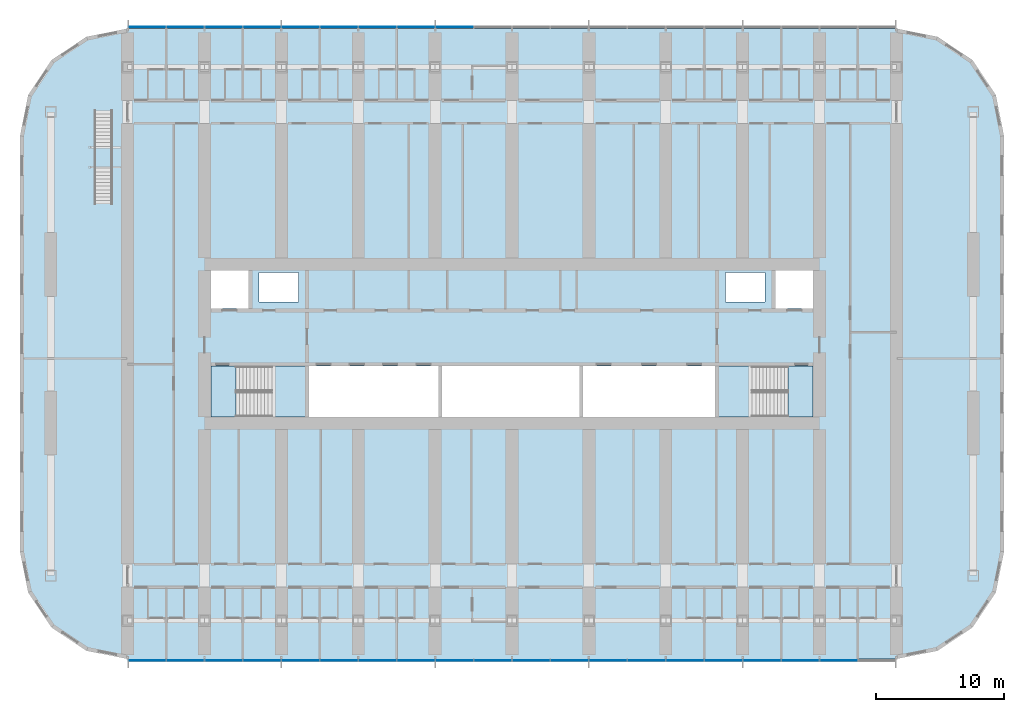
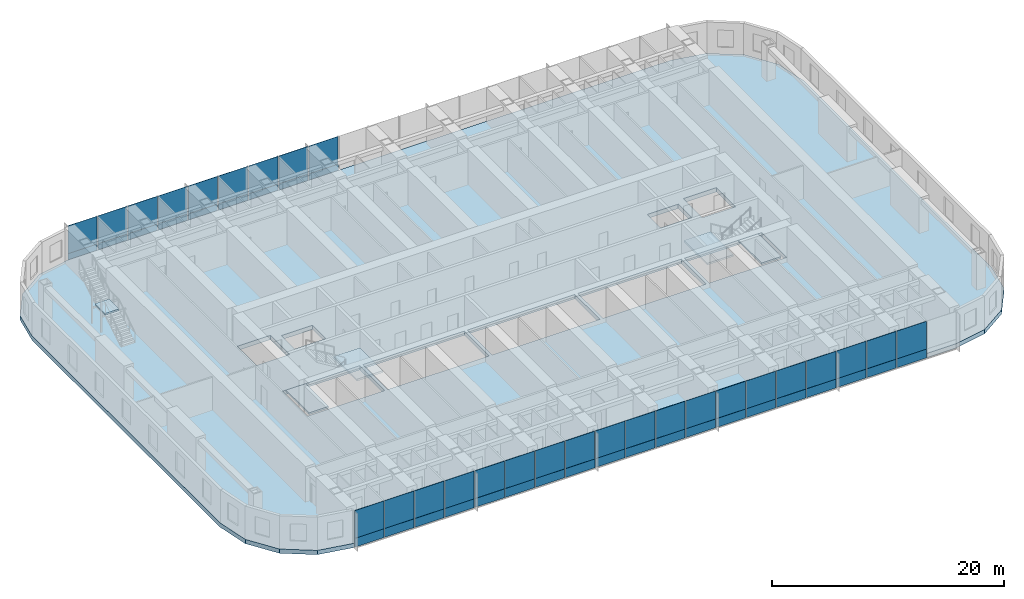
# One storey, part 10 of 28: 56 plates, 6 slabs, 5 elements without a shape of their own.
"""IFC4 building model written with IfcOpenShell, lengths in metres."""

from ifc_helpers import new_model, si_unit, direction, frame, origin, origin_2d, place, context, subcontext, project, spatial, polyline, rectangle, outline, extrude, material, layer, layer_set, type_object, element, aggregate, save


model = new_model("IFC4")

# Units and contexts
model_context = context("Model", 3, precision=1e-05, world=origin(), true_north=direction((0.0, 1.0)))
body_context = subcontext(model_context, "Body", "Model", "MODEL_VIEW")
ifc_project = project(units=[si_unit("LENGTHUNIT", "METRE"), si_unit("AREAUNIT", "SQUARE_METRE"), si_unit("VOLUMEUNIT", "CUBIC_METRE"), si_unit("PLANEANGLEUNIT", "RADIAN"), si_unit("MASSUNIT", "GRAM", prefix="KILO")], contexts=[model_context])

# Site, building, storey
site_placement = place(None, origin())
site = spatial("IfcSite", under=ifc_project, at=site_placement, CompositionType="ELEMENT")
building_placement = place(site_placement, origin())
building = spatial("IfcBuilding", under=site, at=building_placement, Name="Orbita Commons", CompositionType="ELEMENT")
storey_placement = place(building_placement, frame((0.0, 0.0, 38.949951171875)))
storey = spatial("IfcBuildingStorey", under=building, at=storey_placement, Name="L09", CompositionType="ELEMENT", Elevation=38.949951171875)

# Stair, slab
ifc_material_1 = material(Name="Steel ASTM A992 stringers, precast concrete C40/50 terrazzo treads", Category="concrete")
stair_type_1 = type_object("IfcStairType", Name="Feature stair 22 risers 170 x 280 x 1400", PredefinedType="STRAIGHT_RUN_STAIR", material=ifc_material_1)
stair_1_placement = place(storey_placement, origin())
stair_1 = element("IfcStair", 1, at=stair_1_placement, inside=storey, type_object=stair_type_1, Name="Neighbourhood stair L09 to L10", PredefinedType="STRAIGHT_RUN_STAIR")
ifc_material_2 = material(Name="Concrete C40/50", Category="concrete")
ifc_layer_1 = layer(ifc_material_2, 0.199951171875)
ifc_layer_set_1 = layer_set([ifc_layer_1], Name="Concrete C40/50")
slab_type_1 = type_object("IfcSlabType", Name="Feature stair landing 200", PredefinedType="LANDING", material=ifc_layer_set_1)
slab_1_placement = place(storey_placement, frame((0.0, 0.0, 1.675048828125)))
slab_1 = element("IfcSlab", 2, at=slab_1_placement, type_object=slab_type_1, Name="FS landing 1", PredefinedType="LANDING", context=body_context, shape_type="SweptSolid", body=[
    extrude(outline(polyline([(9.39990234375, 45.699951171875), (10.800048828125, 45.699951171875), (10.800048828125, 47.409912109375), (9.39990234375, 47.409912109375), (9.39990234375, 45.699951171875)])), origin(), (0.0, 0.0, 1.0), 0.199951171875),
])
aggregate(stair_1, [slab_1])

# Slab
ifc_material_3 = material(Name="Concrete C40/50", Category="concrete")
ifc_layer_2 = layer(ifc_material_3, 0.449951171875)
ifc_layer_set_2 = layer_set([ifc_layer_2], Name="Concrete C40/50")
slab_type_2 = type_object("IfcSlabType", Name="Floor slab 450", PredefinedType="FLOOR", material=ifc_layer_set_2)
slab_2_placement = place(storey_placement, frame((0.0, 0.0, -0.449951171875)))
element("IfcSlab", 3, at=slab_2_placement, inside=storey, type_object=slab_type_2, Name="Floor slab L09", PredefinedType="FLOOR", context=body_context, shape_type="SweptSolid", body=[
    extrude(outline(polyline([(72.0, 7.39990234375), (75.214599609375, 8.039306640625), (77.939697265625, 9.8603515625), (79.760498046875, 12.58544921875), (80.39990234375, 15.800048828125), (80.39990234375, 48.199951171875), (79.760498046875, 51.41455078125), (77.939697265625, 54.1396484375), (75.214599609375, 55.960693359375), (72.0, 56.60009765625), (12.0, 56.60009765625), (8.785400390625, 55.960693359375), (6.060302734375, 54.1396484375), (4.239501953125, 51.41455078125), (3.60009765625, 48.199951171875), (3.60009765625, 15.800048828125), (4.239501953125, 12.58544921875), (6.060302734375, 9.8603515625), (8.785400390625, 8.039306640625), (12.0, 7.39990234375), (72.0, 7.39990234375)]), holes=[polyline([(18.14990234375, 25.949951171875), (25.85009765625, 25.949951171875), (25.85009765625, 30.25), (18.14990234375, 30.25), (18.14990234375, 25.949951171875)]), polyline([(58.14990234375, 25.949951171875), (65.85009765625, 25.949951171875), (65.85009765625, 30.25), (58.14990234375, 30.25), (58.14990234375, 25.949951171875)]), polyline([(18.14990234375, 34.75), (21.449951171875, 34.75), (21.449951171875, 38.050048828125), (18.14990234375, 38.050048828125), (18.14990234375, 34.75)]), polyline([(62.550048828125, 34.75), (65.85009765625, 34.75), (65.85009765625, 38.050048828125), (62.550048828125, 38.050048828125), (62.550048828125, 34.75)]), polyline([(22.25, 35.25), (25.35009765625, 35.25), (25.35009765625, 37.550048828125), (22.25, 37.550048828125), (22.25, 35.25)]), polyline([(58.64990234375, 35.25), (61.75, 35.25), (61.75, 37.550048828125), (58.64990234375, 37.550048828125), (58.64990234375, 35.25)]), polyline([(26.14990234375, 25.949951171875), (36.25, 25.949951171875), (36.25, 30.25), (26.14990234375, 30.25), (26.14990234375, 25.949951171875)]), polyline([(36.550048828125, 25.949951171875), (47.25, 25.949951171875), (47.25, 30.25), (36.550048828125, 30.25), (36.550048828125, 25.949951171875)]), polyline([(47.550048828125, 25.949951171875), (57.85009765625, 25.949951171875), (57.85009765625, 30.25), (47.550048828125, 30.25), (47.550048828125, 25.949951171875)])]), origin(), (0.0, 0.0, 1.0), 0.449951171875),
])

# Curtain wall, plates
ifc_material_4 = material(Name="Anodised aluminium frame, pale silver", Category="aluminium")
curtain_wall_type = type_object("IfcCurtainWallType", Name="Unitised curtain wall CW-T, vision and spandrel", PredefinedType="NOTDEFINED", material=ifc_material_4)
curtain_wall_1_placement = place(storey_placement, origin())
curtain_wall_1 = element("IfcCurtainWall", 4, at=curtain_wall_1_placement, inside=storey, type_object=curtain_wall_type, Name="Curtain wall south L09", PredefinedType="NOTDEFINED")
ifc_material_5 = material(Name="Anodised aluminium sheet on mineral wool", Category="aluminium")
ifc_layer_3 = layer(ifc_material_5, 0.050048828125)
ifc_layer_set_3 = layer_set([ifc_layer_3], Name="Anodised aluminium sheet on mineral wool")
plate_type_1 = type_object("IfcPlateType", Name="Spandrel panel, pale aluminium over insulation 50", PredefinedType="CURTAIN_PANEL", material=ifc_layer_set_3)
plate_1_placement = place(storey_placement, frame((13.52001953125, 7.2900390625, -0.35009765625), z_axis=(0.0, 0.0, 1.0), x_axis=(1.0, 0.0, 0.0)))
plate_1 = element("IfcPlate", 5, at=plate_1_placement, type_object=plate_type_1, Name="Panel 1.1 CW-L09-S", PredefinedType="CURTAIN_PANEL", context=body_context, shape_type="SweptSolid", body=[
    extrude(rectangle(XDim=2.8798828125, YDim=0.050048828125, at=origin_2d()), origin(), (0.0, 0.0, 1.0), 0.927001953125),
])
plate_2_placement = place(storey_placement, frame((16.5, 7.2900390625, -0.35009765625), z_axis=(0.0, 0.0, 1.0), x_axis=(1.0, 0.0, 0.0)))
plate_2 = element("IfcPlate", 6, at=plate_2_placement, type_object=plate_type_1, Name="Panel 2.1 CW-L09-S", PredefinedType="CURTAIN_PANEL", context=body_context, shape_type="SweptSolid", body=[
    extrude(rectangle(XDim=2.919921875, YDim=0.050048828125, at=origin_2d()), origin(), (0.0, 0.0, 1.0), 0.927001953125),
])
plate_3_placement = place(storey_placement, frame((19.5, 7.2900390625, -0.35009765625), z_axis=(0.0, 0.0, 1.0), x_axis=(1.0, 0.0, 0.0)))
plate_3 = element("IfcPlate", 7, at=plate_3_placement, type_object=plate_type_1, Name="Panel 3.1 CW-L09-S", PredefinedType="CURTAIN_PANEL", context=body_context, shape_type="SweptSolid", body=[
    extrude(rectangle(XDim=2.919921875, YDim=0.050048828125, at=origin_2d()), origin(), (0.0, 0.0, 1.0), 0.927001953125),
])
plate_4_placement = place(storey_placement, frame((22.5, 7.2900390625, -0.35009765625), z_axis=(0.0, 0.0, 1.0), x_axis=(1.0, 0.0, 0.0)))
plate_4 = element("IfcPlate", 8, at=plate_4_placement, type_object=plate_type_1, Name="Panel 4.1 CW-L09-S", PredefinedType="CURTAIN_PANEL", context=body_context, shape_type="SweptSolid", body=[
    extrude(rectangle(XDim=2.919921875, YDim=0.050048828125, at=origin_2d()), origin(), (0.0, 0.0, 1.0), 0.927001953125),
])
plate_5_placement = place(storey_placement, frame((25.5, 7.2900390625, -0.35009765625), z_axis=(0.0, 0.0, 1.0), x_axis=(1.0, 0.0, 0.0)))
plate_5 = element("IfcPlate", 9, at=plate_5_placement, type_object=plate_type_1, Name="Panel 5.1 CW-L09-S", PredefinedType="CURTAIN_PANEL", context=body_context, shape_type="SweptSolid", body=[
    extrude(rectangle(XDim=2.919921875, YDim=0.050048828125, at=origin_2d()), origin(), (0.0, 0.0, 1.0), 0.927001953125),
])
plate_6_placement = place(storey_placement, frame((28.5, 7.2900390625, -0.35009765625), z_axis=(0.0, 0.0, 1.0), x_axis=(1.0, 0.0, 0.0)))
plate_6 = element("IfcPlate", 10, at=plate_6_placement, type_object=plate_type_1, Name="Panel 6.1 CW-L09-S", PredefinedType="CURTAIN_PANEL", context=body_context, shape_type="SweptSolid", body=[
    extrude(rectangle(XDim=2.919921875, YDim=0.050048828125, at=origin_2d()), origin(), (0.0, 0.0, 1.0), 0.927001953125),
])
plate_7_placement = place(storey_placement, frame((31.5, 7.2900390625, -0.35009765625), z_axis=(0.0, 0.0, 1.0), x_axis=(1.0, 0.0, 0.0)))
plate_7 = element("IfcPlate", 11, at=plate_7_placement, type_object=plate_type_1, Name="Panel 7.1 CW-L09-S", PredefinedType="CURTAIN_PANEL", context=body_context, shape_type="SweptSolid", body=[
    extrude(rectangle(XDim=2.919921875, YDim=0.050048828125, at=origin_2d()), origin(), (0.0, 0.0, 1.0), 0.927001953125),
])
plate_8_placement = place(storey_placement, frame((34.5, 7.2900390625, -0.35009765625), z_axis=(0.0, 0.0, 1.0), x_axis=(1.0, 0.0, 0.0)))
plate_8 = element("IfcPlate", 12, at=plate_8_placement, type_object=plate_type_1, Name="Panel 8.1 CW-L09-S", PredefinedType="CURTAIN_PANEL", context=body_context, shape_type="SweptSolid", body=[
    extrude(rectangle(XDim=2.919921875, YDim=0.050048828125, at=origin_2d()), origin(), (0.0, 0.0, 1.0), 0.927001953125),
])
plate_9_placement = place(storey_placement, frame((37.5, 7.2900390625, -0.35009765625), z_axis=(0.0, 0.0, 1.0), x_axis=(1.0, 0.0, 0.0)))
plate_9 = element("IfcPlate", 13, at=plate_9_placement, type_object=plate_type_1, Name="Panel 9.1 CW-L09-S", PredefinedType="CURTAIN_PANEL", context=body_context, shape_type="SweptSolid", body=[
    extrude(rectangle(XDim=2.919921875, YDim=0.050048828125, at=origin_2d()), origin(), (0.0, 0.0, 1.0), 0.927001953125),
])
plate_10_placement = place(storey_placement, frame((40.5, 7.2900390625, -0.35009765625), z_axis=(0.0, 0.0, 1.0), x_axis=(1.0, 0.0, 0.0)))
plate_10 = element("IfcPlate", 14, at=plate_10_placement, type_object=plate_type_1, Name="Panel 10.1 CW-L09-S", PredefinedType="CURTAIN_PANEL", context=body_context, shape_type="SweptSolid", body=[
    extrude(rectangle(XDim=2.919921875, YDim=0.050048828125, at=origin_2d()), origin(), (0.0, 0.0, 1.0), 0.927001953125),
])
plate_11_placement = place(storey_placement, frame((43.5, 7.2900390625, -0.35009765625), z_axis=(0.0, 0.0, 1.0), x_axis=(1.0, 0.0, 0.0)))
plate_11 = element("IfcPlate", 15, at=plate_11_placement, type_object=plate_type_1, Name="Panel 11.1 CW-L09-S", PredefinedType="CURTAIN_PANEL", context=body_context, shape_type="SweptSolid", body=[
    extrude(rectangle(XDim=2.919921875, YDim=0.050048828125, at=origin_2d()), origin(), (0.0, 0.0, 1.0), 0.927001953125),
])
plate_12_placement = place(storey_placement, frame((46.5, 7.2900390625, -0.35009765625), z_axis=(0.0, 0.0, 1.0), x_axis=(1.0, 0.0, 0.0)))
plate_12 = element("IfcPlate", 16, at=plate_12_placement, type_object=plate_type_1, Name="Panel 12.1 CW-L09-S", PredefinedType="CURTAIN_PANEL", context=body_context, shape_type="SweptSolid", body=[
    extrude(rectangle(XDim=2.919921875, YDim=0.050048828125, at=origin_2d()), origin(), (0.0, 0.0, 1.0), 0.927001953125),
])
plate_13_placement = place(storey_placement, frame((49.5, 7.2900390625, -0.35009765625), z_axis=(0.0, 0.0, 1.0), x_axis=(1.0, 0.0, 0.0)))
plate_13 = element("IfcPlate", 17, at=plate_13_placement, type_object=plate_type_1, Name="Panel 13.1 CW-L09-S", PredefinedType="CURTAIN_PANEL", context=body_context, shape_type="SweptSolid", body=[
    extrude(rectangle(XDim=2.919921875, YDim=0.050048828125, at=origin_2d()), origin(), (0.0, 0.0, 1.0), 0.927001953125),
])
plate_14_placement = place(storey_placement, frame((52.5, 7.2900390625, -0.35009765625), z_axis=(0.0, 0.0, 1.0), x_axis=(1.0, 0.0, 0.0)))
plate_14 = element("IfcPlate", 18, at=plate_14_placement, type_object=plate_type_1, Name="Panel 14.1 CW-L09-S", PredefinedType="CURTAIN_PANEL", context=body_context, shape_type="SweptSolid", body=[
    extrude(rectangle(XDim=2.919921875, YDim=0.050048828125, at=origin_2d()), origin(), (0.0, 0.0, 1.0), 0.927001953125),
])
plate_15_placement = place(storey_placement, frame((55.5, 7.2900390625, -0.35009765625), z_axis=(0.0, 0.0, 1.0), x_axis=(1.0, 0.0, 0.0)))
plate_15 = element("IfcPlate", 19, at=plate_15_placement, type_object=plate_type_1, Name="Panel 15.1 CW-L09-S", PredefinedType="CURTAIN_PANEL", context=body_context, shape_type="SweptSolid", body=[
    extrude(rectangle(XDim=2.919921875, YDim=0.050048828125, at=origin_2d()), origin(), (0.0, 0.0, 1.0), 0.927001953125),
])
plate_16_placement = place(storey_placement, frame((58.5, 7.2900390625, -0.35009765625), z_axis=(0.0, 0.0, 1.0), x_axis=(1.0, 0.0, 0.0)))
plate_16 = element("IfcPlate", 20, at=plate_16_placement, type_object=plate_type_1, Name="Panel 16.1 CW-L09-S", PredefinedType="CURTAIN_PANEL", context=body_context, shape_type="SweptSolid", body=[
    extrude(rectangle(XDim=2.919921875, YDim=0.050048828125, at=origin_2d()), origin(), (0.0, 0.0, 1.0), 0.927001953125),
])
plate_17_placement = place(storey_placement, frame((61.5, 7.2900390625, -0.35009765625), z_axis=(0.0, 0.0, 1.0), x_axis=(1.0, 0.0, 0.0)))
plate_17 = element("IfcPlate", 21, at=plate_17_placement, type_object=plate_type_1, Name="Panel 17.1 CW-L09-S", PredefinedType="CURTAIN_PANEL", context=body_context, shape_type="SweptSolid", body=[
    extrude(rectangle(XDim=2.919921875, YDim=0.050048828125, at=origin_2d()), origin(), (0.0, 0.0, 1.0), 0.927001953125),
])
plate_18_placement = place(storey_placement, frame((64.5, 7.2900390625, -0.35009765625), z_axis=(0.0, 0.0, 1.0), x_axis=(1.0, 0.0, 0.0)))
plate_18 = element("IfcPlate", 22, at=plate_18_placement, type_object=plate_type_1, Name="Panel 18.1 CW-L09-S", PredefinedType="CURTAIN_PANEL", context=body_context, shape_type="SweptSolid", body=[
    extrude(rectangle(XDim=2.919921875, YDim=0.050048828125, at=origin_2d()), origin(), (0.0, 0.0, 1.0), 0.927001953125),
])
plate_19_placement = place(storey_placement, frame((67.5, 7.2900390625, -0.35009765625), z_axis=(0.0, 0.0, 1.0), x_axis=(1.0, 0.0, 0.0)))
plate_19 = element("IfcPlate", 23, at=plate_19_placement, type_object=plate_type_1, Name="Panel 19.1 CW-L09-S", PredefinedType="CURTAIN_PANEL", context=body_context, shape_type="SweptSolid", body=[
    extrude(rectangle(XDim=2.919921875, YDim=0.050048828125, at=origin_2d()), origin(), (0.0, 0.0, 1.0), 0.927001953125),
])

curtain_wall_2_placement = place(storey_placement, origin())
curtain_wall_2 = element("IfcCurtainWall", 24, at=curtain_wall_2_placement, inside=storey, type_object=curtain_wall_type, Name="Curtain wall north L09", PredefinedType="NOTDEFINED")
plate_20_placement = place(storey_placement, frame((37.5, 56.7099609375, -0.35009765625), z_axis=(0.0, 0.0, 1.0), x_axis=(-1.0, 0.0, 0.0)))
plate_20 = element("IfcPlate", 25, at=plate_20_placement, type_object=plate_type_1, Name="Panel 12.1 CW-L09-N", PredefinedType="CURTAIN_PANEL", context=body_context, shape_type="SweptSolid", body=[
    extrude(rectangle(XDim=2.919921875, YDim=0.050048828125, at=origin_2d()), origin(), (0.0, 0.0, 1.0), 0.927001953125),
])
plate_21_placement = place(storey_placement, frame((34.5, 56.7099609375, -0.35009765625), z_axis=(0.0, 0.0, 1.0), x_axis=(-1.0, 0.0, 0.0)))
plate_21 = element("IfcPlate", 26, at=plate_21_placement, type_object=plate_type_1, Name="Panel 13.1 CW-L09-N", PredefinedType="CURTAIN_PANEL", context=body_context, shape_type="SweptSolid", body=[
    extrude(rectangle(XDim=2.919921875, YDim=0.050048828125, at=origin_2d()), origin(), (0.0, 0.0, 1.0), 0.927001953125),
])
plate_22_placement = place(storey_placement, frame((31.5, 56.7099609375, -0.35009765625), z_axis=(0.0, 0.0, 1.0), x_axis=(-1.0, 0.0, 0.0)))
plate_22 = element("IfcPlate", 27, at=plate_22_placement, type_object=plate_type_1, Name="Panel 14.1 CW-L09-N", PredefinedType="CURTAIN_PANEL", context=body_context, shape_type="SweptSolid", body=[
    extrude(rectangle(XDim=2.919921875, YDim=0.050048828125, at=origin_2d()), origin(), (0.0, 0.0, 1.0), 0.927001953125),
])
plate_23_placement = place(storey_placement, frame((28.5, 56.7099609375, -0.35009765625), z_axis=(0.0, 0.0, 1.0), x_axis=(-1.0, 0.0, 0.0)))
plate_23 = element("IfcPlate", 28, at=plate_23_placement, type_object=plate_type_1, Name="Panel 15.1 CW-L09-N", PredefinedType="CURTAIN_PANEL", context=body_context, shape_type="SweptSolid", body=[
    extrude(rectangle(XDim=2.919921875, YDim=0.050048828125, at=origin_2d()), origin(), (0.0, 0.0, 1.0), 0.927001953125),
])
plate_24_placement = place(storey_placement, frame((25.5, 56.7099609375, -0.35009765625), z_axis=(0.0, 0.0, 1.0), x_axis=(-1.0, 0.0, 0.0)))
plate_24 = element("IfcPlate", 29, at=plate_24_placement, type_object=plate_type_1, Name="Panel 16.1 CW-L09-N", PredefinedType="CURTAIN_PANEL", context=body_context, shape_type="SweptSolid", body=[
    extrude(rectangle(XDim=2.919921875, YDim=0.050048828125, at=origin_2d()), origin(), (0.0, 0.0, 1.0), 0.927001953125),
])
plate_25_placement = place(storey_placement, frame((22.5, 56.7099609375, -0.35009765625), z_axis=(0.0, 0.0, 1.0), x_axis=(-1.0, 0.0, 0.0)))
plate_25 = element("IfcPlate", 30, at=plate_25_placement, type_object=plate_type_1, Name="Panel 17.1 CW-L09-N", PredefinedType="CURTAIN_PANEL", context=body_context, shape_type="SweptSolid", body=[
    extrude(rectangle(XDim=2.919921875, YDim=0.050048828125, at=origin_2d()), origin(), (0.0, 0.0, 1.0), 0.927001953125),
])
plate_26_placement = place(storey_placement, frame((19.5, 56.7099609375, -0.35009765625), z_axis=(0.0, 0.0, 1.0), x_axis=(-1.0, 0.0, 0.0)))
plate_26 = element("IfcPlate", 31, at=plate_26_placement, type_object=plate_type_1, Name="Panel 18.1 CW-L09-N", PredefinedType="CURTAIN_PANEL", context=body_context, shape_type="SweptSolid", body=[
    extrude(rectangle(XDim=2.919921875, YDim=0.050048828125, at=origin_2d()), origin(), (0.0, 0.0, 1.0), 0.927001953125),
])
plate_27_placement = place(storey_placement, frame((16.5, 56.7099609375, -0.35009765625), z_axis=(0.0, 0.0, 1.0), x_axis=(-1.0, 0.0, 0.0)))
plate_27 = element("IfcPlate", 32, at=plate_27_placement, type_object=plate_type_1, Name="Panel 19.1 CW-L09-N", PredefinedType="CURTAIN_PANEL", context=body_context, shape_type="SweptSolid", body=[
    extrude(rectangle(XDim=2.919921875, YDim=0.050048828125, at=origin_2d()), origin(), (0.0, 0.0, 1.0), 0.927001953125),
])
plate_28_placement = place(storey_placement, frame((13.52001953125, 56.7099609375, -0.35009765625), z_axis=(0.0, 0.0, 1.0), x_axis=(-1.0, 0.0, 0.0)))
plate_28 = element("IfcPlate", 33, at=plate_28_placement, type_object=plate_type_1, Name="Panel 20.1 CW-L09-N", PredefinedType="CURTAIN_PANEL", context=body_context, shape_type="SweptSolid", body=[
    extrude(rectangle(XDim=2.8798828125, YDim=0.050048828125, at=origin_2d()), origin(), (0.0, 0.0, 1.0), 0.927001953125),
])

# Stair, slabs
ifc_material_6 = material(Name="Precast concrete C40/50", Category="concrete")
stair_type_2 = type_object("IfcStairType", Name="Exit stair S1 2 flights 11 risers 170", PredefinedType="HALF_TURN_STAIR", material=ifc_material_6)
stair_2_placement = place(storey_placement, origin())
stair_2 = element("IfcStair", 34, at=stair_2_placement, inside=storey, type_object=stair_type_2, Name="Exit stair S1 L09", PredefinedType="HALF_TURN_STAIR")
ifc_material_7 = material(Name="Concrete C40/50", Category="concrete")
ifc_layer_4 = layer(ifc_material_7, 0.199951171875)
ifc_layer_set_4 = layer_set([ifc_layer_4], Name="Concrete C40/50")
slab_type_3 = type_object("IfcSlabType", Name="Stair landing 200", PredefinedType="LANDING", material=ifc_layer_set_4)
slab_3_placement = place(storey_placement, frame((0.0, 0.0, -0.199951171875)))
slab_3 = element("IfcSlab", 35, at=slab_3_placement, type_object=slab_type_3, Name="S1 landing 1", PredefinedType="LANDING", context=body_context, shape_type="SweptSolid", body=[
    extrude(outline(polyline([(18.5, 26.300048828125), (20.449951171875, 26.300048828125), (20.449951171875, 30.25), (18.5, 30.25), (18.5, 26.300048828125)])), origin(), (0.0, 0.0, 1.0), 0.199951171875),
])
slab_4_placement = place(storey_placement, frame((0.0, 0.0, 1.675048828125)))
slab_4 = element("IfcSlab", 36, at=slab_4_placement, type_object=slab_type_3, Name="S1 landing 2", PredefinedType="LANDING", context=body_context, shape_type="SweptSolid", body=[
    extrude(outline(polyline([(23.25, 26.284912109375), (25.864990234375, 26.284912109375), (25.864990234375, 30.264892578125), (23.25, 30.264892578125), (23.25, 26.284912109375)])), origin(), (0.0, 0.0, 1.0), 0.199951171875),
])
aggregate(stair_2, [slab_3, slab_4])

ifc_material_8 = material(Name="Precast concrete C40/50", Category="concrete")
stair_type_3 = type_object("IfcStairType", Name="Exit stair S2 2 flights 11 risers 170", PredefinedType="HALF_TURN_STAIR", material=ifc_material_8)
stair_3_placement = place(storey_placement, origin())
stair_3 = element("IfcStair", 37, at=stair_3_placement, inside=storey, type_object=stair_type_3, Name="Exit stair S2 L09", PredefinedType="HALF_TURN_STAIR")
slab_5_placement = place(storey_placement, frame((0.0, 0.0, -0.199951171875)))
slab_5 = element("IfcSlab", 38, at=slab_5_placement, type_object=slab_type_3, Name="S2 landing 1", PredefinedType="LANDING", context=body_context, shape_type="SweptSolid", body=[
    extrude(outline(polyline([(63.550048828125, 26.300048828125), (65.5, 26.300048828125), (65.5, 30.25), (63.550048828125, 30.25), (63.550048828125, 26.300048828125)])), origin(), (0.0, 0.0, 1.0), 0.199951171875),
])
slab_6_placement = place(storey_placement, frame((0.0, 0.0, 1.675048828125)))
slab_6 = element("IfcSlab", 39, at=slab_6_placement, type_object=slab_type_3, Name="S2 landing 2", PredefinedType="LANDING", context=body_context, shape_type="SweptSolid", body=[
    extrude(outline(polyline([(58.135009765625, 26.284912109375), (60.75, 26.284912109375), (60.75, 30.264892578125), (58.135009765625, 30.264892578125), (58.135009765625, 26.284912109375)])), origin(), (0.0, 0.0, 1.0), 0.199951171875),
])
aggregate(stair_3, [slab_5, slab_6])

# Plate
ifc_material_9 = material(Name="Clear double glazing", Category="glass")
ifc_layer_5 = layer(ifc_material_9, 0.031982421875)
ifc_layer_set_5 = layer_set([ifc_layer_5], Name="Clear double glazing")
plate_type_2 = type_object("IfcPlateType", Name="Vision panel, clear double glazing 32", PredefinedType="CURTAIN_PANEL", material=ifc_layer_set_5)
plate_29_placement = place(storey_placement, frame((13.52001953125, 7.2900390625, 0.5771484375), z_axis=(0.0, 0.0, 1.0), x_axis=(1.0, 0.0, 0.0)))
plate_29 = element("IfcPlate", 40, at=plate_29_placement, type_object=plate_type_2, Name="Panel 1.2 CW-L09-S", PredefinedType="CURTAIN_PANEL", context=body_context, shape_type="SweptSolid", body=[
    extrude(rectangle(XDim=2.8798828125, YDim=0.031982421875, at=origin_2d()), origin(), (0.0, 0.0, 1.0), 2.923095703125),
])

plate_30_placement = place(storey_placement, frame((16.5, 7.2900390625, 0.5771484375), z_axis=(0.0, 0.0, 1.0), x_axis=(1.0, 0.0, 0.0)))
plate_30 = element("IfcPlate", 41, at=plate_30_placement, type_object=plate_type_2, Name="Panel 2.2 CW-L09-S", PredefinedType="CURTAIN_PANEL", context=body_context, shape_type="SweptSolid", body=[
    extrude(rectangle(XDim=2.919921875, YDim=0.031982421875, at=origin_2d()), origin(), (0.0, 0.0, 1.0), 2.923095703125),
])

plate_31_placement = place(storey_placement, frame((19.5, 7.2900390625, 0.5771484375), z_axis=(0.0, 0.0, 1.0), x_axis=(1.0, 0.0, 0.0)))
plate_31 = element("IfcPlate", 42, at=plate_31_placement, type_object=plate_type_2, Name="Panel 3.2 CW-L09-S", PredefinedType="CURTAIN_PANEL", context=body_context, shape_type="SweptSolid", body=[
    extrude(rectangle(XDim=2.919921875, YDim=0.031982421875, at=origin_2d()), origin(), (0.0, 0.0, 1.0), 2.923095703125),
])

plate_32_placement = place(storey_placement, frame((22.5, 7.2900390625, 0.5771484375), z_axis=(0.0, 0.0, 1.0), x_axis=(1.0, 0.0, 0.0)))
plate_32 = element("IfcPlate", 43, at=plate_32_placement, type_object=plate_type_2, Name="Panel 4.2 CW-L09-S", PredefinedType="CURTAIN_PANEL", context=body_context, shape_type="SweptSolid", body=[
    extrude(rectangle(XDim=2.919921875, YDim=0.031982421875, at=origin_2d()), origin(), (0.0, 0.0, 1.0), 2.923095703125),
])

plate_33_placement = place(storey_placement, frame((25.5, 7.2900390625, 0.5771484375), z_axis=(0.0, 0.0, 1.0), x_axis=(1.0, 0.0, 0.0)))
plate_33 = element("IfcPlate", 44, at=plate_33_placement, type_object=plate_type_2, Name="Panel 5.2 CW-L09-S", PredefinedType="CURTAIN_PANEL", context=body_context, shape_type="SweptSolid", body=[
    extrude(rectangle(XDim=2.919921875, YDim=0.031982421875, at=origin_2d()), origin(), (0.0, 0.0, 1.0), 2.923095703125),
])

plate_34_placement = place(storey_placement, frame((28.5, 7.2900390625, 0.5771484375), z_axis=(0.0, 0.0, 1.0), x_axis=(1.0, 0.0, 0.0)))
plate_34 = element("IfcPlate", 45, at=plate_34_placement, type_object=plate_type_2, Name="Panel 6.2 CW-L09-S", PredefinedType="CURTAIN_PANEL", context=body_context, shape_type="SweptSolid", body=[
    extrude(rectangle(XDim=2.919921875, YDim=0.031982421875, at=origin_2d()), origin(), (0.0, 0.0, 1.0), 2.923095703125),
])

plate_35_placement = place(storey_placement, frame((31.5, 7.2900390625, 0.5771484375), z_axis=(0.0, 0.0, 1.0), x_axis=(1.0, 0.0, 0.0)))
plate_35 = element("IfcPlate", 46, at=plate_35_placement, type_object=plate_type_2, Name="Panel 7.2 CW-L09-S", PredefinedType="CURTAIN_PANEL", context=body_context, shape_type="SweptSolid", body=[
    extrude(rectangle(XDim=2.919921875, YDim=0.031982421875, at=origin_2d()), origin(), (0.0, 0.0, 1.0), 2.923095703125),
])

plate_36_placement = place(storey_placement, frame((34.5, 7.2900390625, 0.5771484375), z_axis=(0.0, 0.0, 1.0), x_axis=(1.0, 0.0, 0.0)))
plate_36 = element("IfcPlate", 47, at=plate_36_placement, type_object=plate_type_2, Name="Panel 8.2 CW-L09-S", PredefinedType="CURTAIN_PANEL", context=body_context, shape_type="SweptSolid", body=[
    extrude(rectangle(XDim=2.919921875, YDim=0.031982421875, at=origin_2d()), origin(), (0.0, 0.0, 1.0), 2.923095703125),
])

plate_37_placement = place(storey_placement, frame((37.5, 7.2900390625, 0.5771484375), z_axis=(0.0, 0.0, 1.0), x_axis=(1.0, 0.0, 0.0)))
plate_37 = element("IfcPlate", 48, at=plate_37_placement, type_object=plate_type_2, Name="Panel 9.2 CW-L09-S", PredefinedType="CURTAIN_PANEL", context=body_context, shape_type="SweptSolid", body=[
    extrude(rectangle(XDim=2.919921875, YDim=0.031982421875, at=origin_2d()), origin(), (0.0, 0.0, 1.0), 2.923095703125),
])

plate_38_placement = place(storey_placement, frame((40.5, 7.2900390625, 0.5771484375), z_axis=(0.0, 0.0, 1.0), x_axis=(1.0, 0.0, 0.0)))
plate_38 = element("IfcPlate", 49, at=plate_38_placement, type_object=plate_type_2, Name="Panel 10.2 CW-L09-S", PredefinedType="CURTAIN_PANEL", context=body_context, shape_type="SweptSolid", body=[
    extrude(rectangle(XDim=2.919921875, YDim=0.031982421875, at=origin_2d()), origin(), (0.0, 0.0, 1.0), 2.923095703125),
])

plate_39_placement = place(storey_placement, frame((43.5, 7.2900390625, 0.5771484375), z_axis=(0.0, 0.0, 1.0), x_axis=(1.0, 0.0, 0.0)))
plate_39 = element("IfcPlate", 50, at=plate_39_placement, type_object=plate_type_2, Name="Panel 11.2 CW-L09-S", PredefinedType="CURTAIN_PANEL", context=body_context, shape_type="SweptSolid", body=[
    extrude(rectangle(XDim=2.919921875, YDim=0.031982421875, at=origin_2d()), origin(), (0.0, 0.0, 1.0), 2.923095703125),
])

plate_40_placement = place(storey_placement, frame((46.5, 7.2900390625, 0.5771484375), z_axis=(0.0, 0.0, 1.0), x_axis=(1.0, 0.0, 0.0)))
plate_40 = element("IfcPlate", 51, at=plate_40_placement, type_object=plate_type_2, Name="Panel 12.2 CW-L09-S", PredefinedType="CURTAIN_PANEL", context=body_context, shape_type="SweptSolid", body=[
    extrude(rectangle(XDim=2.919921875, YDim=0.031982421875, at=origin_2d()), origin(), (0.0, 0.0, 1.0), 2.923095703125),
])

plate_41_placement = place(storey_placement, frame((49.5, 7.2900390625, 0.5771484375), z_axis=(0.0, 0.0, 1.0), x_axis=(1.0, 0.0, 0.0)))
plate_41 = element("IfcPlate", 52, at=plate_41_placement, type_object=plate_type_2, Name="Panel 13.2 CW-L09-S", PredefinedType="CURTAIN_PANEL", context=body_context, shape_type="SweptSolid", body=[
    extrude(rectangle(XDim=2.919921875, YDim=0.031982421875, at=origin_2d()), origin(), (0.0, 0.0, 1.0), 2.923095703125),
])

plate_42_placement = place(storey_placement, frame((52.5, 7.2900390625, 0.5771484375), z_axis=(0.0, 0.0, 1.0), x_axis=(1.0, 0.0, 0.0)))
plate_42 = element("IfcPlate", 53, at=plate_42_placement, type_object=plate_type_2, Name="Panel 14.2 CW-L09-S", PredefinedType="CURTAIN_PANEL", context=body_context, shape_type="SweptSolid", body=[
    extrude(rectangle(XDim=2.919921875, YDim=0.031982421875, at=origin_2d()), origin(), (0.0, 0.0, 1.0), 2.923095703125),
])

plate_43_placement = place(storey_placement, frame((55.5, 7.2900390625, 0.5771484375), z_axis=(0.0, 0.0, 1.0), x_axis=(1.0, 0.0, 0.0)))
plate_43 = element("IfcPlate", 54, at=plate_43_placement, type_object=plate_type_2, Name="Panel 15.2 CW-L09-S", PredefinedType="CURTAIN_PANEL", context=body_context, shape_type="SweptSolid", body=[
    extrude(rectangle(XDim=2.919921875, YDim=0.031982421875, at=origin_2d()), origin(), (0.0, 0.0, 1.0), 2.923095703125),
])

plate_44_placement = place(storey_placement, frame((58.5, 7.2900390625, 0.5771484375), z_axis=(0.0, 0.0, 1.0), x_axis=(1.0, 0.0, 0.0)))
plate_44 = element("IfcPlate", 55, at=plate_44_placement, type_object=plate_type_2, Name="Panel 16.2 CW-L09-S", PredefinedType="CURTAIN_PANEL", context=body_context, shape_type="SweptSolid", body=[
    extrude(rectangle(XDim=2.919921875, YDim=0.031982421875, at=origin_2d()), origin(), (0.0, 0.0, 1.0), 2.923095703125),
])

plate_45_placement = place(storey_placement, frame((61.5, 7.2900390625, 0.5771484375), z_axis=(0.0, 0.0, 1.0), x_axis=(1.0, 0.0, 0.0)))
plate_45 = element("IfcPlate", 56, at=plate_45_placement, type_object=plate_type_2, Name="Panel 17.2 CW-L09-S", PredefinedType="CURTAIN_PANEL", context=body_context, shape_type="SweptSolid", body=[
    extrude(rectangle(XDim=2.919921875, YDim=0.031982421875, at=origin_2d()), origin(), (0.0, 0.0, 1.0), 2.923095703125),
])

plate_46_placement = place(storey_placement, frame((64.5, 7.2900390625, 0.5771484375), z_axis=(0.0, 0.0, 1.0), x_axis=(1.0, 0.0, 0.0)))
plate_46 = element("IfcPlate", 57, at=plate_46_placement, type_object=plate_type_2, Name="Panel 18.2 CW-L09-S", PredefinedType="CURTAIN_PANEL", context=body_context, shape_type="SweptSolid", body=[
    extrude(rectangle(XDim=2.919921875, YDim=0.031982421875, at=origin_2d()), origin(), (0.0, 0.0, 1.0), 2.923095703125),
])

plate_47_placement = place(storey_placement, frame((67.5, 7.2900390625, 0.5771484375), z_axis=(0.0, 0.0, 1.0), x_axis=(1.0, 0.0, 0.0)))
plate_47 = element("IfcPlate", 58, at=plate_47_placement, type_object=plate_type_2, Name="Panel 19.2 CW-L09-S", PredefinedType="CURTAIN_PANEL", context=body_context, shape_type="SweptSolid", body=[
    extrude(rectangle(XDim=2.919921875, YDim=0.031982421875, at=origin_2d()), origin(), (0.0, 0.0, 1.0), 2.923095703125),
])

aggregate(curtain_wall_1, [plate_1, plate_29, plate_2, plate_30, plate_3, plate_31, plate_4, plate_32, plate_5, plate_33, plate_6, plate_34, plate_7, plate_35, plate_8, plate_36, plate_9, plate_37, plate_10, plate_38, plate_11, plate_39, plate_12, plate_40, plate_13, plate_41, plate_14, plate_42, plate_15, plate_43, plate_16, plate_44, plate_17, plate_45, plate_18, plate_46, plate_19, plate_47])

plate_48_placement = place(storey_placement, frame((37.5, 56.7099609375, 0.5771484375), z_axis=(0.0, 0.0, 1.0), x_axis=(-1.0, 0.0, 0.0)))
plate_48 = element("IfcPlate", 59, at=plate_48_placement, type_object=plate_type_2, Name="Panel 12.2 CW-L09-N", PredefinedType="CURTAIN_PANEL", context=body_context, shape_type="SweptSolid", body=[
    extrude(rectangle(XDim=2.919921875, YDim=0.031982421875, at=origin_2d()), origin(), (0.0, 0.0, 1.0), 2.923095703125),
])

plate_49_placement = place(storey_placement, frame((34.5, 56.7099609375, 0.5771484375), z_axis=(0.0, 0.0, 1.0), x_axis=(-1.0, 0.0, 0.0)))
plate_49 = element("IfcPlate", 60, at=plate_49_placement, type_object=plate_type_2, Name="Panel 13.2 CW-L09-N", PredefinedType="CURTAIN_PANEL", context=body_context, shape_type="SweptSolid", body=[
    extrude(rectangle(XDim=2.919921875, YDim=0.031982421875, at=origin_2d()), origin(), (0.0, 0.0, 1.0), 2.923095703125),
])

plate_50_placement = place(storey_placement, frame((31.5, 56.7099609375, 0.5771484375), z_axis=(0.0, 0.0, 1.0), x_axis=(-1.0, 0.0, 0.0)))
plate_50 = element("IfcPlate", 61, at=plate_50_placement, type_object=plate_type_2, Name="Panel 14.2 CW-L09-N", PredefinedType="CURTAIN_PANEL", context=body_context, shape_type="SweptSolid", body=[
    extrude(rectangle(XDim=2.919921875, YDim=0.031982421875, at=origin_2d()), origin(), (0.0, 0.0, 1.0), 2.923095703125),
])

plate_51_placement = place(storey_placement, frame((28.5, 56.7099609375, 0.5771484375), z_axis=(0.0, 0.0, 1.0), x_axis=(-1.0, 0.0, 0.0)))
plate_51 = element("IfcPlate", 62, at=plate_51_placement, type_object=plate_type_2, Name="Panel 15.2 CW-L09-N", PredefinedType="CURTAIN_PANEL", context=body_context, shape_type="SweptSolid", body=[
    extrude(rectangle(XDim=2.919921875, YDim=0.031982421875, at=origin_2d()), origin(), (0.0, 0.0, 1.0), 2.923095703125),
])

plate_52_placement = place(storey_placement, frame((25.5, 56.7099609375, 0.5771484375), z_axis=(0.0, 0.0, 1.0), x_axis=(-1.0, 0.0, 0.0)))
plate_52 = element("IfcPlate", 63, at=plate_52_placement, type_object=plate_type_2, Name="Panel 16.2 CW-L09-N", PredefinedType="CURTAIN_PANEL", context=body_context, shape_type="SweptSolid", body=[
    extrude(rectangle(XDim=2.919921875, YDim=0.031982421875, at=origin_2d()), origin(), (0.0, 0.0, 1.0), 2.923095703125),
])

plate_53_placement = place(storey_placement, frame((22.5, 56.7099609375, 0.5771484375), z_axis=(0.0, 0.0, 1.0), x_axis=(-1.0, 0.0, 0.0)))
plate_53 = element("IfcPlate", 64, at=plate_53_placement, type_object=plate_type_2, Name="Panel 17.2 CW-L09-N", PredefinedType="CURTAIN_PANEL", context=body_context, shape_type="SweptSolid", body=[
    extrude(rectangle(XDim=2.919921875, YDim=0.031982421875, at=origin_2d()), origin(), (0.0, 0.0, 1.0), 2.923095703125),
])

plate_54_placement = place(storey_placement, frame((19.5, 56.7099609375, 0.5771484375), z_axis=(0.0, 0.0, 1.0), x_axis=(-1.0, 0.0, 0.0)))
plate_54 = element("IfcPlate", 65, at=plate_54_placement, type_object=plate_type_2, Name="Panel 18.2 CW-L09-N", PredefinedType="CURTAIN_PANEL", context=body_context, shape_type="SweptSolid", body=[
    extrude(rectangle(XDim=2.919921875, YDim=0.031982421875, at=origin_2d()), origin(), (0.0, 0.0, 1.0), 2.923095703125),
])

plate_55_placement = place(storey_placement, frame((16.5, 56.7099609375, 0.5771484375), z_axis=(0.0, 0.0, 1.0), x_axis=(-1.0, 0.0, 0.0)))
plate_55 = element("IfcPlate", 66, at=plate_55_placement, type_object=plate_type_2, Name="Panel 19.2 CW-L09-N", PredefinedType="CURTAIN_PANEL", context=body_context, shape_type="SweptSolid", body=[
    extrude(rectangle(XDim=2.919921875, YDim=0.031982421875, at=origin_2d()), origin(), (0.0, 0.0, 1.0), 2.923095703125),
])

plate_56_placement = place(storey_placement, frame((13.52001953125, 56.7099609375, 0.5771484375), z_axis=(0.0, 0.0, 1.0), x_axis=(-1.0, 0.0, 0.0)))
plate_56 = element("IfcPlate", 67, at=plate_56_placement, type_object=plate_type_2, Name="Panel 20.2 CW-L09-N", PredefinedType="CURTAIN_PANEL", context=body_context, shape_type="SweptSolid", body=[
    extrude(rectangle(XDim=2.8798828125, YDim=0.031982421875, at=origin_2d()), origin(), (0.0, 0.0, 1.0), 2.923095703125),
])

aggregate(curtain_wall_2, [plate_20, plate_48, plate_21, plate_49, plate_22, plate_50, plate_23, plate_51, plate_24, plate_52, plate_25, plate_53, plate_26, plate_54, plate_27, plate_55, plate_28, plate_56])

save(model, "model.ifc")
